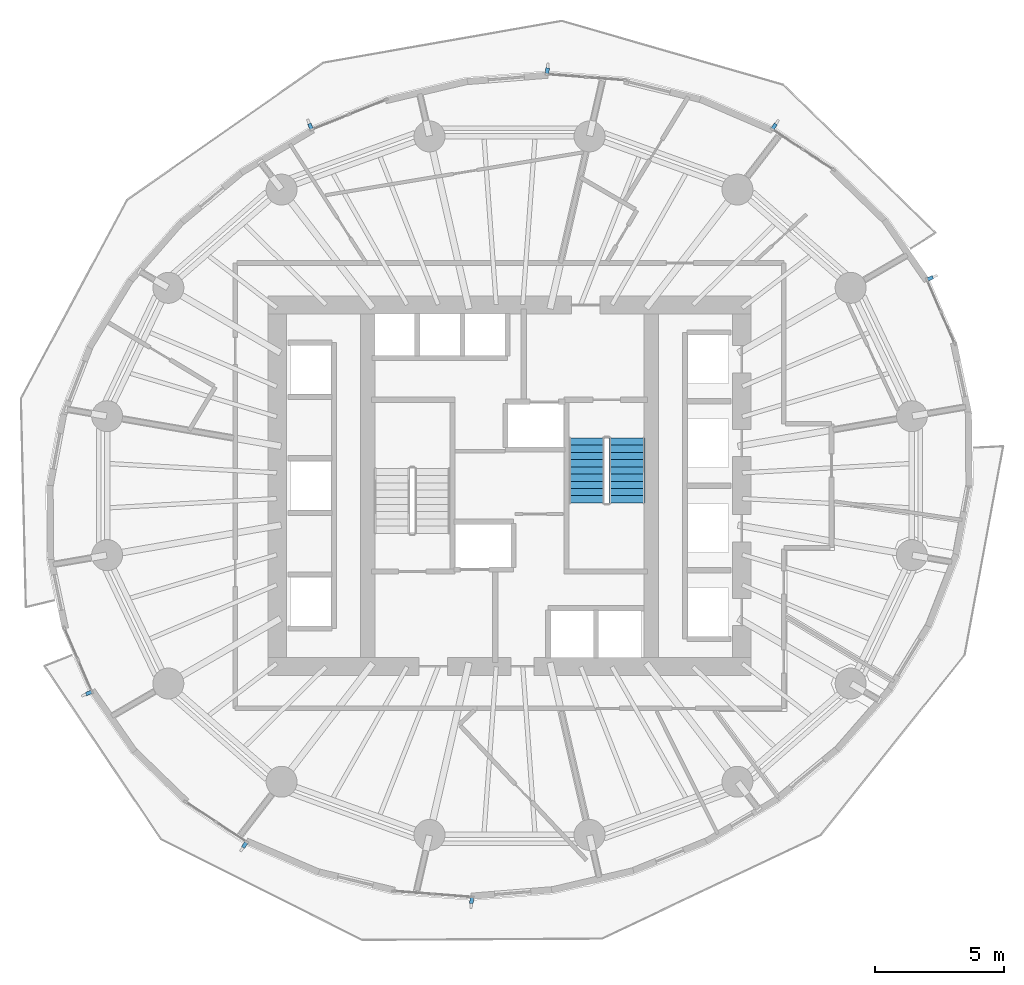
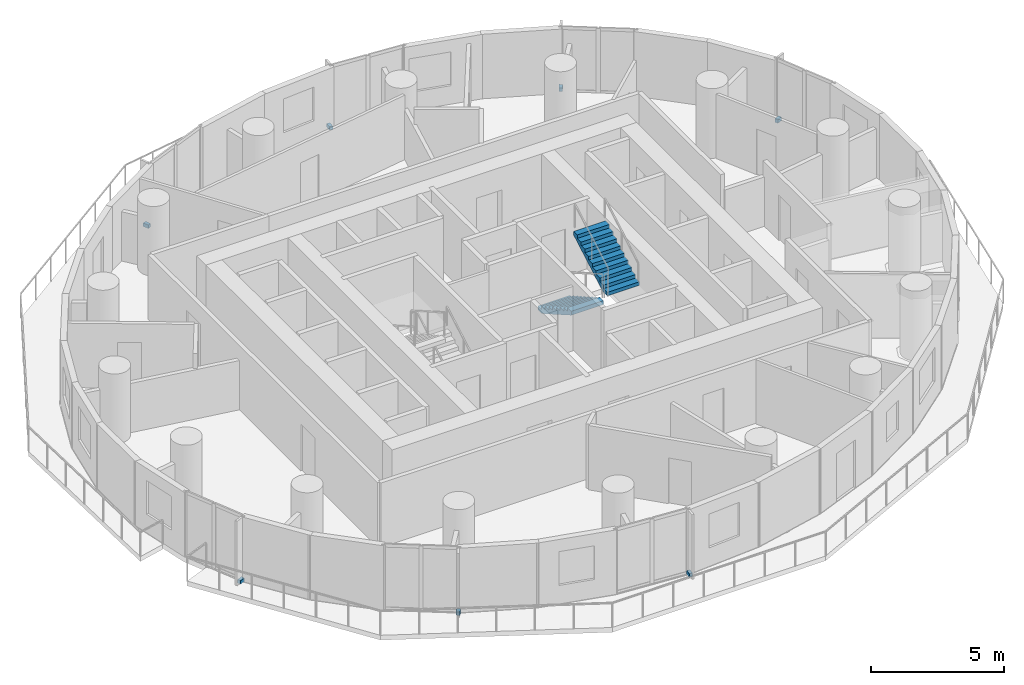
# One storey, part 10 of 14: 7 discrete accessories, 2 stair flights, 1 element without a shape of its own.
"""IFC4 building model written with IfcOpenShell, lengths in metres."""

from ifc_helpers import new_model, si_unit, direction, frame, origin, origin_2d, place, context, subcontext, project, spatial, polyline, rectangle, outline, extrude, material, type_object, element, aggregate, save


model = new_model("IFC4")

# Units and contexts
model_context = context("Model", 3, precision=1e-05, world=origin(), true_north=direction((0.0, 1.0)))
body_context = subcontext(model_context, "Body", "Model", "MODEL_VIEW")
ifc_project = project(units=[si_unit("LENGTHUNIT", "METRE"), si_unit("AREAUNIT", "SQUARE_METRE"), si_unit("VOLUMEUNIT", "CUBIC_METRE"), si_unit("PLANEANGLEUNIT", "RADIAN"), si_unit("MASSUNIT", "GRAM", prefix="KILO")], contexts=[model_context])

# Site, building, storey
site_placement = place(None, origin())
site = spatial("IfcSite", under=ifc_project, at=site_placement, CompositionType="ELEMENT")
building_placement = place(site_placement, origin())
building = spatial("IfcBuilding", under=site, at=building_placement, Name="Veldorim Arch Residences", CompositionType="ELEMENT")
storey_placement = place(building_placement, frame((0.0, 0.0, 74.080078125)))
storey = spatial("IfcBuildingStorey", under=building, at=storey_placement, Name="L21", CompositionType="ELEMENT", Elevation=74.080078125)

# Stair, stair flights
ifc_material_1 = material(Name="Concrete C40/50", Category="concrete")
stair_type = type_object("IfcStairType", Name="Reinforced Concrete Dogleg Exit Staircase", PredefinedType="HALF_TURN_STAIR", material=ifc_material_1)
stair_placement = place(storey_placement, origin())
stair = element("IfcStair", 1, at=stair_placement, inside=storey, type_object=stair_type, Name="L21 Exit Staircase ST-2", PredefinedType="HALF_TURN_STAIR")
ifc_material_2 = material(Name="Concrete C40/50", Category="concrete")
stair_flight_type = type_object("IfcStairFlightType", Name="Reinforced Concrete Stair Flight 1400", PredefinedType="STRAIGHT", material=ifc_material_2)
stair_flight_1_placement = place(storey_placement, frame((34.989990234375, 25.85009765625, 0.0), z_axis=(0.0, 0.0, 1.0), x_axis=(0.0, -1.0, 0.0)))
stair_flight_1 = element("IfcStairFlight", 2, at=stair_flight_1_placement, type_object=stair_flight_type, Name="ST-2 flight 1", NumberOfRisers=10, NumberOfTreads=9, PredefinedType="STRAIGHT", RiserHeight=0.16, TreadLength=0.28, context=body_context, shape_type="SweptSolid", body=[
    extrude(outline(polyline([(0.0, 0.0), (0.0, 0.159912109375), (0.280029296875, 0.159912109375), (0.280029296875, 0.320068359375), (0.56005859375, 0.320068359375), (0.56005859375, 0.47998046875), (0.840087890625, 0.47998046875), (0.840087890625, 0.639892578125), (1.1201171875, 0.639892578125), (1.1201171875, 0.800048828125), (1.39990234375, 0.800048828125), (1.39990234375, 0.9599609375), (1.679931640625, 0.9599609375), (1.679931640625, 1.1201171875), (1.9599609375, 1.1201171875), (1.9599609375, 1.280029296875), (2.239990234375, 1.280029296875), (2.239990234375, 1.43994140625), (2.52001953125, 1.43994140625), (2.52001953125, 1.60009765625), (2.52001953125, 1.255859375), (0.322265625, 0.0), (0.0, 0.0)])), frame((0.0, 0.699951171875, 0.0), z_axis=(0.0, -1.0, 0.0), x_axis=(1.0, 0.0, 0.0)), (0.0, 0.0, 1.0), 1.39990234375),
])
stair_flight_2_placement = place(storey_placement, frame((36.550048828125, 23.330078125, 1.599853515625), z_axis=(0.0, 0.0, 1.0), x_axis=(0.0, 1.0, 0.0)))
stair_flight_2 = element("IfcStairFlight", 3, at=stair_flight_2_placement, type_object=stair_flight_type, Name="ST-2 flight 2", NumberOfRisers=10, NumberOfTreads=9, PredefinedType="STRAIGHT", RiserHeight=0.16, TreadLength=0.28, context=body_context, shape_type="SweptSolid", body=[
    extrude(outline(polyline([(0.0, 0.0), (0.0, 0.159912109375), (0.280029296875, 0.159912109375), (0.280029296875, 0.320068359375), (0.56005859375, 0.320068359375), (0.56005859375, 0.47998046875), (0.840087890625, 0.47998046875), (0.840087890625, 0.639892578125), (1.1201171875, 0.639892578125), (1.1201171875, 0.800048828125), (1.39990234375, 0.800048828125), (1.39990234375, 0.9599609375), (1.679931640625, 0.9599609375), (1.679931640625, 1.1201171875), (1.9599609375, 1.1201171875), (1.9599609375, 1.280029296875), (2.239990234375, 1.280029296875), (2.239990234375, 1.43994140625), (2.52001953125, 1.43994140625), (2.52001953125, 1.60009765625), (2.52001953125, 1.255859375), (0.322265625, 0.0), (0.0, 0.0)])), frame((0.0, 0.699951171875, 0.0), z_axis=(0.0, -1.0, 0.0), x_axis=(1.0, 0.0, 0.0)), (0.0, 0.0, 1.0), 1.39990234375),
])
aggregate(stair, [stair_flight_1, stair_flight_2])

# Discrete accessories
ifc_material_3 = material(Name="Stainless Steel", Category="steel")
discrete_accessory_type = type_object("IfcDiscreteAccessoryType", Name="Stainless Steel Facade Fin Anchor Bracket", PredefinedType="BRACKET", material=ifc_material_3)
for number, where, z_axis, x_axis, name in (
    (4, (48.30126953125, 32.033203125, -0.02001953125), (0.0, 0.0, 1.0), (0.396987706187, -0.917823927089, 0.0), "L21 stainless fin anchor bracket 01"),
    (5, (42.259521484375, 37.9208984375, -0.02001953125), (0.0, 0.0, 1.0), (0.834174701276, -0.551500288078, 0.0), "L21 stainless fin anchor bracket 04"),
    (6, (33.468505859375, 40.0751953125, -0.02001953125), (0.0, 0.0, 1.0), (0.997052752227, -0.076719028127, 0.0), "L21 stainless fin anchor bracket 07"),
    (7, (24.287109375, 37.922119140625, -0.02001953125), (0.0, 0.0, 1.0), (0.927314560446, 0.374282922379, 0.0), "L21 stainless fin anchor bracket 10"),
    (8, (15.69873046875, 15.966796875, -0.02001953125), (0.0, 0.0, 1.0), (-0.396987706187, 0.917823927089, 0.0), "L21 stainless fin anchor bracket 19"),
    (9, (21.740478515625, 10.0791015625, -0.02001953125), (0.0, 0.0, 1.0), (-0.834174701276, 0.551500288078, 0.0), "L21 stainless fin anchor bracket 22"),
    (10, (30.531494140625, 7.9248046875, -0.02001953125), (0.0, 0.0, 1.0), (-0.997052752227, 0.076719028127, 0.0), "L21 stainless fin anchor bracket 25"),
):
    element("IfcDiscreteAccessory", number, at=place(storey_placement, frame(where, z_axis=z_axis, x_axis=x_axis)), inside=storey, type_object=discrete_accessory_type, Name=name, PredefinedType="BRACKET", context=body_context, shape_type="SweptSolid", body=[
        extrude(rectangle(XDim=0.139892578125, YDim=0.239990234375, at=origin_2d()), origin(), (0.0, 0.0, 1.0), 0.159912109375),
    ])

save(model, "model.ifc")
